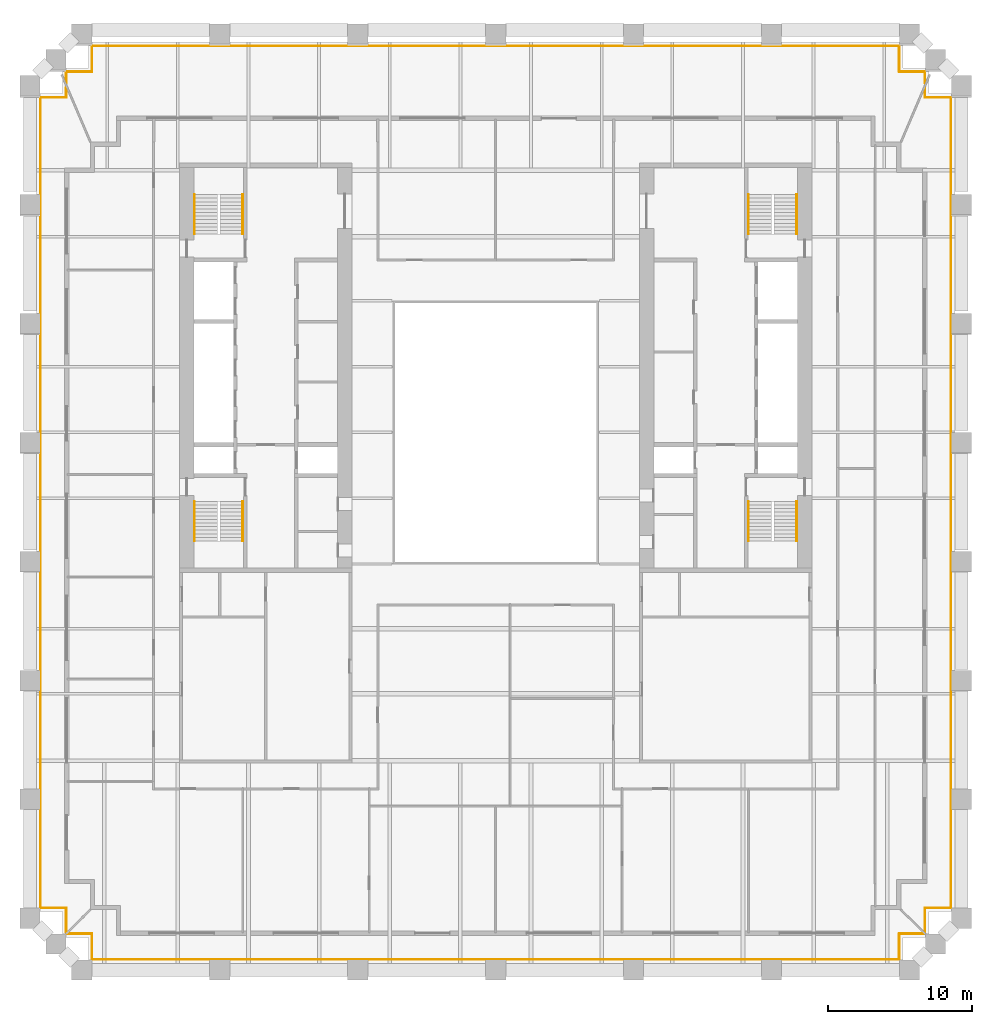
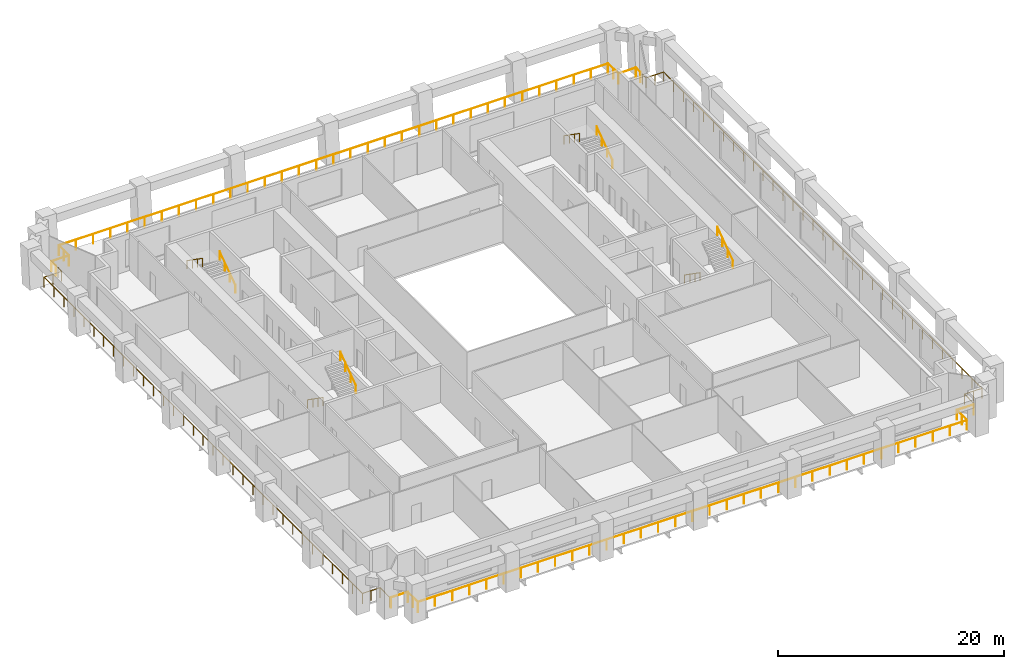
# One storey, part 9 of 9: 12 railings.
"""IFC4 building model written with IfcOpenShell, lengths in metres."""

import ifcopenshell
import ifcopenshell.guid

model = None  # the IFC model being written
_history = None  # IfcOwnerHistory: only IFC2X3 demands one
_inside = {}  # id of a spatial element -> (the spatial element, [elements in it])
_under = {}  # id of a project, library or spatial element -> (it, [spatial elements below it])
_declared = {}  # id of a project -> (the project, [libraries it declares])
_typed = {}  # id of a type object -> (the type object, [elements of that type])
_made_of = {}  # id of a material, layer set ... -> (it, [elements and type objects made of it])


def new_model(schema):
    """Start an empty IFC model of exactly this schema.

    Asked for "IFC4X3", IfcOpenShell would pick the latest addendum, in which some entities
    have other attributes; the version numbers below select the first issue.
    IFC2X3 requires an IfcOwnerHistory on every rooted entity: one is made here for all.
    """
    global model, _history
    if schema == "IFC4X3":
        model = ifcopenshell.file(schema_version=(4, 3, 0, 0))
    else:
        model = ifcopenshell.file(schema=schema)
    _inside.clear()
    _under.clear()
    _declared.clear()
    _typed.clear()
    _made_of.clear()
    _history = None
    if model.schema == "IFC2X3":
        org = make("IfcOrganization", Name="unknown")
        user = make(
            "IfcPersonAndOrganization",
            ThePerson=make("IfcPerson", FamilyName="unknown"),
            TheOrganization=org,
        )
        app = make(
            "IfcApplication",
            ApplicationDeveloper=org,
            Version="unknown",
            ApplicationFullName="unknown",
            ApplicationIdentifier="unknown",
        )
        _history = make(
            "IfcOwnerHistory",
            OwningUser=user,
            OwningApplication=app,
            ChangeAction="ADDED",
            CreationDate=0,
        )
    return model


def make(cls, **values):
    """One entity of the class cls with the attributes given. An attribute that is None is left unset."""
    return model.create_entity(
        cls, **{name: value for name, value in values.items() if value is not None}
    )


def rooted(cls, **values):
    """An entity with a GlobalId (a new one), such as an element, a storey or a relation."""
    return make(cls, GlobalId=ifcopenshell.guid.new(), OwnerHistory=_history, **values)


def si_unit(unit_type, name, prefix=None):
    """IfcSIUnit, for example si_unit("LENGTHUNIT", "METRE", prefix="MILLI")."""
    return make("IfcSIUnit", UnitType=unit_type, Prefix=prefix, Name=name)


def assignment(units):
    """IfcUnitAssignment: the units of a project."""
    return None if units is None else make("IfcUnitAssignment", Units=units)


def point(xyz):
    """IfcCartesianPoint."""
    return None if xyz is None else make("IfcCartesianPoint", Coordinates=xyz)


def direction(xyz):
    """IfcDirection."""
    return None if xyz is None else make("IfcDirection", DirectionRatios=xyz)


def frame(location, z_axis=None, x_axis=None):
    """IfcAxis2Placement3D, a coordinate frame: its origin and axes. An axis left out is left unset."""
    return make(
        "IfcAxis2Placement3D",
        Location=point(location),
        Axis=direction(z_axis),
        RefDirection=direction(x_axis),
    )


def frame_2d(location, x_axis=None):
    """IfcAxis2Placement2D, a coordinate frame in the plane: its origin and x axis."""
    return make(
        "IfcAxis2Placement2D", Location=point(location), RefDirection=direction(x_axis)
    )


def origin():
    """The frame at (0, 0, 0) with its axes left unset."""
    return frame((0.0, 0.0, 0.0))


def origin_2d():
    """The frame at (0, 0) in the plane with its x axis left unset."""
    return frame_2d((0.0, 0.0))


def place(relative_to, where):
    """IfcLocalPlacement: puts the frame where relative to a parent placement (None: the world)."""
    return make(
        "IfcLocalPlacement", PlacementRelTo=relative_to, RelativePlacement=where
    )


def context(
    kind, dimensions, precision=None, world=None, true_north=None, identifier=None
):
    """IfcGeometricRepresentationContext, for example the 3D "Model" context."""
    return make(
        "IfcGeometricRepresentationContext",
        ContextIdentifier=identifier,
        ContextType=kind,
        CoordinateSpaceDimension=dimensions,
        Precision=precision,
        WorldCoordinateSystem=world,
        TrueNorth=true_north,
    )


def subcontext(parent, identifier, kind, view, scale=None):
    """IfcGeometricRepresentationSubContext, for example "Body" below "Model"."""
    return make(
        "IfcGeometricRepresentationSubContext",
        ContextIdentifier=identifier,
        ContextType=kind,
        ParentContext=parent,
        TargetScale=scale,
        TargetView=view,
    )


def project(units=None, contexts=None):
    """IfcProject with its units and contexts."""
    return rooted(
        "IfcProject",
        Name="project",
        RepresentationContexts=contexts,
        UnitsInContext=assignment(units),
    )


def spatial(cls, under=None, at=None, **own):
    """A site, building, storey or space (cls), placed at a placement, below another one or the project."""
    s = rooted(cls, ObjectPlacement=at, **own)
    if under is not None:
        _under.setdefault(under.id(), (under, []))[1].append(s)
    return s


def profile(cls, at=None, kind="AREA", **sizes):
    """A parametric profile (cls). Its sizes go by their IFC names, for example OverallWidth=200.0."""
    return make(cls, ProfileType=kind, Position=at, **sizes)


def circle(**sizes):
    """IfcCircleProfileDef."""
    return profile("IfcCircleProfileDef", **sizes)


def extrude(swept, where, along, depth):
    """IfcExtrudedAreaSolid: the profile swept, set in the frame where, extruded along a direction by depth."""
    return make(
        "IfcExtrudedAreaSolid",
        SweptArea=swept,
        Position=where,
        ExtrudedDirection=direction(along),
        Depth=depth,
    )


def shape(context_of_items, identifier, shape_type, items):
    """IfcShapeRepresentation: the items that make up one representation, for example the "Body"."""
    return make(
        "IfcShapeRepresentation",
        ContextOfItems=context_of_items,
        RepresentationIdentifier=identifier,
        RepresentationType=shape_type,
        Items=items,
    )


def material(Name=None, Category=None):
    """IfcMaterial."""
    return make("IfcMaterial", Name=Name, Category=Category)


def made_of(thing, what):
    """Note that an element or type object is made of a material, layer set ...; save() writes the relation."""
    if what is not None:
        _made_of.setdefault(what.id(), (what, []))[1].append(thing)
    return thing


def type_object(cls, material=None, **own):
    """A type object (cls), such as IfcWallType, which elements share."""
    return made_of(rooted(cls, **own), material)


def element(
    cls,
    number,
    at=None,
    inside=None,
    cuts=None,
    type_object=None,
    material=None,
    context=None,
    identifier="Body",
    shape_type=None,
    held_by="IfcProductDefinitionShape",
    body=None,
    shapes=None,
    **own,
):
    """One element of the class cls, such as IfcWall. Its Tag is "e" and its number.

    at: its placement. inside: the storey or other place that contains it. cuts: it is an
    opening in that element (IfcRelVoidsElement). A single representation is given by context,
    identifier, shape_type and body (its items); several are given by shapes. held_by: the class
    of the entity that holds the representations. save() writes the other relations.
    """
    e = rooted(cls, Tag="e%d" % number, ObjectPlacement=at, **own)
    if body is not None:
        shapes = [shape(context, identifier, shape_type, body)]
    if shapes is not None:
        e.Representation = make(held_by, Representations=shapes)
    if inside is not None:
        _inside.setdefault(inside.id(), (inside, []))[1].append(e)
    if cuts is not None:
        rooted(
            "IfcRelVoidsElement", RelatingBuildingElement=cuts, RelatedOpeningElement=e
        )
    if type_object is not None:
        _typed.setdefault(type_object.id(), (type_object, []))[1].append(e)
    return made_of(e, material)


def aggregate(whole, parts):
    """IfcRelAggregates: a whole, such as a stair, and the parts it consists of."""
    return rooted("IfcRelAggregates", RelatingObject=whole, RelatedObjects=parts)


def save(model, path):
    """Write the relations noted so far, then the file.

    IfcRelAggregates (storeys below a building ...), IfcRelContainedInSpatialStructure (elements
    in a storey), IfcRelDefinesByType, IfcRelAssociatesMaterial and IfcRelDeclares: one each for
    every whole, place, type object, material and project.
    """
    for whole, parts in _under.values():
        aggregate(whole, parts)
    for where, things in _inside.values():
        rooted(
            "IfcRelContainedInSpatialStructure",
            RelatedElements=things,
            RelatingStructure=where,
        )
    for kind, things in _typed.values():
        rooted("IfcRelDefinesByType", RelatedObjects=things, RelatingType=kind)
    for what, things in _made_of.values():
        rooted("IfcRelAssociatesMaterial", RelatedObjects=things, RelatingMaterial=what)
    for by, libraries in _declared.values():
        rooted("IfcRelDeclares", RelatingContext=by, RelatedDefinitions=libraries)
    model.write(path)


model = new_model("IFC4")

# Units and contexts
model_context = context("Model", 3, precision=1e-05, world=origin(), true_north=direction((0.0, 1.0)))
body_context = subcontext(model_context, "Body", "Model", "MODEL_VIEW")
ifc_project = project(units=[si_unit("LENGTHUNIT", "METRE"), si_unit("AREAUNIT", "SQUARE_METRE"), si_unit("VOLUMEUNIT", "CUBIC_METRE"), si_unit("PLANEANGLEUNIT", "RADIAN"), si_unit("MASSUNIT", "GRAM", prefix="KILO")], contexts=[model_context])

# Site, building, storey
site_placement = place(None, origin())
site = spatial("IfcSite", under=ifc_project, at=site_placement, CompositionType="ELEMENT")
building_placement = place(site_placement, origin())
building = spatial("IfcBuilding", under=site, at=building_placement, Name="Ogive Exchange Tower", CompositionType="ELEMENT")
storey_placement = place(building_placement, frame((0.0, 0.0, 69.0)))
storey = spatial("IfcBuildingStorey", under=building, at=storey_placement, Name="L14", CompositionType="ELEMENT", Elevation=69.0)

# Railings
ifc_material_1 = material(Name="Stainless steel 316", Category="steel")
railing_type_1 = type_object("IfcRailingType", Name="Guard 1100 stainless steel and glass", PredefinedType="GUARDRAIL", material=ifc_material_1)
railing_1_placement = place(storey_placement, frame((29.7880859375, -27.8798828125, -0.050048828125)))
element("IfcRailing", 1, at=railing_1_placement, inside=storey, type_object=railing_type_1, Name="Loggia guard 1", PredefinedType="GUARDRAIL", context=body_context, shape_type="SweptSolid", body=[
    extrude(circle(Radius=0.02392578125, at=origin_2d()), frame((0.0, 0.0, 1.076171875), z_axis=(-1.0, 0.0, 0.0), x_axis=(0.0, -1.0, 0.0)), (0.0, 0.0, 1.0), 1.7080078125),
    extrude(circle(Radius=0.02392578125, at=origin_2d()), frame((-1.7080078125, 0.0, 1.076171875), z_axis=(0.0, -1.0, 0.0), x_axis=(1.0, 0.0, 0.0)), (0.0, 0.0, 1.0), 1.800048828125),
    extrude(circle(Radius=0.02392578125, at=origin_2d()), frame((-1.7080078125, -1.800048828125, 1.076171875), z_axis=(-1.0, 0.0, 0.0), x_axis=(0.0, -1.0, 0.0)), (0.0, 0.0, 1.0), 56.16015625),
    extrude(circle(Radius=0.02392578125, at=origin_2d()), frame((-57.8681640625, -1.800048828125, 1.076171875), z_axis=(0.0, 1.0, 0.0), x_axis=(-1.0, 0.0, 0.0)), (0.0, 0.0, 1.0), 1.800048828125),
    extrude(circle(Radius=0.02392578125, at=origin_2d()), frame((-57.8681640625, 0.0, 1.076171875), z_axis=(-1.0, 0.0, 0.0), x_axis=(0.0, -1.0, 0.0)), (0.0, 0.0, 1.0), 1.7080078125),
    extrude(circle(Radius=0.02099609375, at=origin_2d()), origin(), (0.0, 0.0, 1.0), 1.052001953125),
    extrude(circle(Radius=0.02099609375, at=origin_2d()), frame((-1.7080078125, 0.0, 0.0)), (0.0, 0.0, 1.0), 1.052001953125),
    extrude(circle(Radius=0.02099609375, at=origin_2d()), frame((-1.7080078125, -0.89990234375, 0.0)), (0.0, 0.0, 1.0), 1.052001953125),
    extrude(circle(Radius=0.02099609375, at=origin_2d()), frame((-1.7080078125, -1.800048828125, 0.0)), (0.0, 0.0, 1.0), 1.052001953125),
    extrude(circle(Radius=0.02099609375, at=origin_2d()), frame((-3.462890625, -1.800048828125, 0.0)), (0.0, 0.0, 1.0), 1.052001953125),
    extrude(circle(Radius=0.02099609375, at=origin_2d()), frame((-5.218017578125, -1.800048828125, 0.0)), (0.0, 0.0, 1.0), 1.052001953125),
    extrude(circle(Radius=0.02099609375, at=origin_2d()), frame((-6.97314453125, -1.800048828125, 0.0)), (0.0, 0.0, 1.0), 1.052001953125),
    extrude(circle(Radius=0.02099609375, at=origin_2d()), frame((-8.72802734375, -1.800048828125, 0.0)), (0.0, 0.0, 1.0), 1.052001953125),
    extrude(circle(Radius=0.02099609375, at=origin_2d()), frame((-10.48291015625, -1.800048828125, 0.0)), (0.0, 0.0, 1.0), 1.052001953125),
    extrude(circle(Radius=0.02099609375, at=origin_2d()), frame((-12.238037109375, -1.800048828125, 0.0)), (0.0, 0.0, 1.0), 1.052001953125),
    extrude(circle(Radius=0.02099609375, at=origin_2d()), frame((-13.9931640625, -1.800048828125, 0.0)), (0.0, 0.0, 1.0), 1.052001953125),
    extrude(circle(Radius=0.02099609375, at=origin_2d()), frame((-15.748046875, -1.800048828125, 0.0)), (0.0, 0.0, 1.0), 1.052001953125),
    extrude(circle(Radius=0.02099609375, at=origin_2d()), frame((-17.5029296875, -1.800048828125, 0.0)), (0.0, 0.0, 1.0), 1.052001953125),
    extrude(circle(Radius=0.02099609375, at=origin_2d()), frame((-19.258056640625, -1.800048828125, 0.0)), (0.0, 0.0, 1.0), 1.052001953125),
    extrude(circle(Radius=0.02099609375, at=origin_2d()), frame((-21.01318359375, -1.800048828125, 0.0)), (0.0, 0.0, 1.0), 1.052001953125),
    extrude(circle(Radius=0.02099609375, at=origin_2d()), frame((-22.76806640625, -1.800048828125, 0.0)), (0.0, 0.0, 1.0), 1.052001953125),
    extrude(circle(Radius=0.02099609375, at=origin_2d()), frame((-24.52294921875, -1.800048828125, 0.0)), (0.0, 0.0, 1.0), 1.052001953125),
    extrude(circle(Radius=0.02099609375, at=origin_2d()), frame((-26.278076171875, -1.800048828125, 0.0)), (0.0, 0.0, 1.0), 1.052001953125),
    extrude(circle(Radius=0.02099609375, at=origin_2d()), frame((-28.033203125, -1.800048828125, 0.0)), (0.0, 0.0, 1.0), 1.052001953125),
    extrude(circle(Radius=0.02099609375, at=origin_2d()), frame((-29.7880859375, -1.800048828125, 0.0)), (0.0, 0.0, 1.0), 1.052001953125),
    extrude(circle(Radius=0.02099609375, at=origin_2d()), frame((-31.54296875, -1.800048828125, 0.0)), (0.0, 0.0, 1.0), 1.052001953125),
    extrude(circle(Radius=0.02099609375, at=origin_2d()), frame((-33.298095703125, -1.800048828125, 0.0)), (0.0, 0.0, 1.0), 1.052001953125),
    extrude(circle(Radius=0.02099609375, at=origin_2d()), frame((-35.05322265625, -1.800048828125, 0.0)), (0.0, 0.0, 1.0), 1.052001953125),
    extrude(circle(Radius=0.02099609375, at=origin_2d()), frame((-36.80810546875, -1.800048828125, 0.0)), (0.0, 0.0, 1.0), 1.052001953125),
    extrude(circle(Radius=0.02099609375, at=origin_2d()), frame((-38.56298828125, -1.800048828125, 0.0)), (0.0, 0.0, 1.0), 1.052001953125),
    extrude(circle(Radius=0.02099609375, at=origin_2d()), frame((-40.318115234375, -1.800048828125, 0.0)), (0.0, 0.0, 1.0), 1.052001953125),
    extrude(circle(Radius=0.02099609375, at=origin_2d()), frame((-42.0732421875, -1.800048828125, 0.0)), (0.0, 0.0, 1.0), 1.052001953125),
    extrude(circle(Radius=0.02099609375, at=origin_2d()), frame((-43.828125, -1.800048828125, 0.0)), (0.0, 0.0, 1.0), 1.052001953125),
    extrude(circle(Radius=0.02099609375, at=origin_2d()), frame((-45.5830078125, -1.800048828125, 0.0)), (0.0, 0.0, 1.0), 1.052001953125),
    extrude(circle(Radius=0.02099609375, at=origin_2d()), frame((-47.338134765625, -1.800048828125, 0.0)), (0.0, 0.0, 1.0), 1.052001953125),
    extrude(circle(Radius=0.02099609375, at=origin_2d()), frame((-49.09326171875, -1.800048828125, 0.0)), (0.0, 0.0, 1.0), 1.052001953125),
    extrude(circle(Radius=0.02099609375, at=origin_2d()), frame((-50.84814453125, -1.800048828125, 0.0)), (0.0, 0.0, 1.0), 1.052001953125),
    extrude(circle(Radius=0.02099609375, at=origin_2d()), frame((-52.60302734375, -1.800048828125, 0.0)), (0.0, 0.0, 1.0), 1.052001953125),
    extrude(circle(Radius=0.02099609375, at=origin_2d()), frame((-54.358154296875, -1.800048828125, 0.0)), (0.0, 0.0, 1.0), 1.052001953125),
    extrude(circle(Radius=0.02099609375, at=origin_2d()), frame((-56.11328125, -1.800048828125, 0.0)), (0.0, 0.0, 1.0), 1.052001953125),
    extrude(circle(Radius=0.02099609375, at=origin_2d()), frame((-57.8681640625, -1.800048828125, 0.0)), (0.0, 0.0, 1.0), 1.052001953125),
    extrude(circle(Radius=0.02099609375, at=origin_2d()), frame((-57.8681640625, -0.89990234375, 0.0)), (0.0, 0.0, 1.0), 1.052001953125),
    extrude(circle(Radius=0.02099609375, at=origin_2d()), frame((-57.8681640625, 0.0, 0.0)), (0.0, 0.0, 1.0), 1.052001953125),
    extrude(circle(Radius=0.02099609375, at=origin_2d()), frame((-59.576171875, 0.0, 0.0)), (0.0, 0.0, 1.0), 1.052001953125),
])
railing_2_placement = place(storey_placement, frame((-29.8798828125, -27.7880859375, -0.050048828125)))
element("IfcRailing", 2, at=railing_2_placement, inside=storey, type_object=railing_type_1, Name="Loggia guard 2", PredefinedType="GUARDRAIL", context=body_context, shape_type="SweptSolid", body=[
    extrude(circle(Radius=0.02392578125, at=origin_2d()), frame((0.0, 0.0, 1.076171875), z_axis=(0.0, 1.0, 0.0), x_axis=(-1.0, 0.0, 0.0)), (0.0, 0.0, 1.0), 1.7080078125),
    extrude(circle(Radius=0.02392578125, at=origin_2d()), frame((0.0, 1.7080078125, 1.076171875), z_axis=(-1.0, 0.0, 0.0), x_axis=(0.0, -1.0, 0.0)), (0.0, 0.0, 1.0), 1.800048828125),
    extrude(circle(Radius=0.02392578125, at=origin_2d()), frame((-1.800048828125, 1.7080078125, 1.076171875), z_axis=(0.0, 1.0, 0.0), x_axis=(-1.0, 0.0, 0.0)), (0.0, 0.0, 1.0), 56.378173828125),
    extrude(circle(Radius=0.02392578125, at=origin_2d()), frame((-1.800048828125, 58.086181640625, 1.076171875), z_axis=(1.0, 0.0, 0.0), x_axis=(0.0, 1.0, 0.0)), (0.0, 0.0, 1.0), 1.800048828125),
    extrude(circle(Radius=0.02392578125, at=origin_2d()), frame((0.0, 58.086181640625, 1.076171875), z_axis=(0.0, 1.0, 0.0), x_axis=(-1.0, 0.0, 0.0)), (0.0, 0.0, 1.0), 0.669189453125),
    extrude(circle(Radius=0.02099609375, at=origin_2d()), origin(), (0.0, 0.0, 1.0), 1.052001953125),
    extrude(circle(Radius=0.02099609375, at=origin_2d()), frame((0.0, 1.7080078125, 0.0)), (0.0, 0.0, 1.0), 1.052001953125),
    extrude(circle(Radius=0.02099609375, at=origin_2d()), frame((-0.89990234375, 1.7080078125, 0.0)), (0.0, 0.0, 1.0), 1.052001953125),
    extrude(circle(Radius=0.02099609375, at=origin_2d()), frame((-1.800048828125, 1.7080078125, 0.0)), (0.0, 0.0, 1.0), 1.052001953125),
    extrude(circle(Radius=0.02099609375, at=origin_2d()), frame((-1.800048828125, 3.4697265625, 0.0)), (0.0, 0.0, 1.0), 1.052001953125),
    extrude(circle(Radius=0.02099609375, at=origin_2d()), frame((-1.800048828125, 5.231689453125, 0.0)), (0.0, 0.0, 1.0), 1.052001953125),
    extrude(circle(Radius=0.02099609375, at=origin_2d()), frame((-1.800048828125, 6.993408203125, 0.0)), (0.0, 0.0, 1.0), 1.052001953125),
    extrude(circle(Radius=0.02099609375, at=origin_2d()), frame((-1.800048828125, 8.75537109375, 0.0)), (0.0, 0.0, 1.0), 1.052001953125),
    extrude(circle(Radius=0.02099609375, at=origin_2d()), frame((-1.800048828125, 10.51708984375, 0.0)), (0.0, 0.0, 1.0), 1.052001953125),
    extrude(circle(Radius=0.02099609375, at=origin_2d()), frame((-1.800048828125, 12.27880859375, 0.0)), (0.0, 0.0, 1.0), 1.052001953125),
    extrude(circle(Radius=0.02099609375, at=origin_2d()), frame((-1.800048828125, 14.040771484375, 0.0)), (0.0, 0.0, 1.0), 1.052001953125),
    extrude(circle(Radius=0.02099609375, at=origin_2d()), frame((-1.800048828125, 15.802490234375, 0.0)), (0.0, 0.0, 1.0), 1.052001953125),
    extrude(circle(Radius=0.02099609375, at=origin_2d()), frame((-1.800048828125, 17.564453125, 0.0)), (0.0, 0.0, 1.0), 1.052001953125),
    extrude(circle(Radius=0.02099609375, at=origin_2d()), frame((-1.800048828125, 19.326171875, 0.0)), (0.0, 0.0, 1.0), 1.052001953125),
    extrude(circle(Radius=0.02099609375, at=origin_2d()), frame((-1.800048828125, 21.087890625, 0.0)), (0.0, 0.0, 1.0), 1.052001953125),
    extrude(circle(Radius=0.02099609375, at=origin_2d()), frame((-1.800048828125, 22.849853515625, 0.0)), (0.0, 0.0, 1.0), 1.052001953125),
    extrude(circle(Radius=0.02099609375, at=origin_2d()), frame((-1.800048828125, 24.611572265625, 0.0)), (0.0, 0.0, 1.0), 1.052001953125),
    extrude(circle(Radius=0.02099609375, at=origin_2d()), frame((-1.800048828125, 26.37353515625, 0.0)), (0.0, 0.0, 1.0), 1.052001953125),
    extrude(circle(Radius=0.02099609375, at=origin_2d()), frame((-1.800048828125, 28.13525390625, 0.0)), (0.0, 0.0, 1.0), 1.052001953125),
    extrude(circle(Radius=0.02099609375, at=origin_2d()), frame((-1.800048828125, 29.89697265625, 0.0)), (0.0, 0.0, 1.0), 1.052001953125),
    extrude(circle(Radius=0.02099609375, at=origin_2d()), frame((-1.800048828125, 31.658935546875, 0.0)), (0.0, 0.0, 1.0), 1.052001953125),
    extrude(circle(Radius=0.02099609375, at=origin_2d()), frame((-1.800048828125, 33.420654296875, 0.0)), (0.0, 0.0, 1.0), 1.052001953125),
    extrude(circle(Radius=0.02099609375, at=origin_2d()), frame((-1.800048828125, 35.1826171875, 0.0)), (0.0, 0.0, 1.0), 1.052001953125),
    extrude(circle(Radius=0.02099609375, at=origin_2d()), frame((-1.800048828125, 36.9443359375, 0.0)), (0.0, 0.0, 1.0), 1.052001953125),
    extrude(circle(Radius=0.02099609375, at=origin_2d()), frame((-1.800048828125, 38.706298828125, 0.0)), (0.0, 0.0, 1.0), 1.052001953125),
    extrude(circle(Radius=0.02099609375, at=origin_2d()), frame((-1.800048828125, 40.468017578125, 0.0)), (0.0, 0.0, 1.0), 1.052001953125),
    extrude(circle(Radius=0.02099609375, at=origin_2d()), frame((-1.800048828125, 42.229736328125, 0.0)), (0.0, 0.0, 1.0), 1.052001953125),
    extrude(circle(Radius=0.02099609375, at=origin_2d()), frame((-1.800048828125, 43.99169921875, 0.0)), (0.0, 0.0, 1.0), 1.052001953125),
    extrude(circle(Radius=0.02099609375, at=origin_2d()), frame((-1.800048828125, 45.75341796875, 0.0)), (0.0, 0.0, 1.0), 1.052001953125),
    extrude(circle(Radius=0.02099609375, at=origin_2d()), frame((-1.800048828125, 47.515380859375, 0.0)), (0.0, 0.0, 1.0), 1.052001953125),
    extrude(circle(Radius=0.02099609375, at=origin_2d()), frame((-1.800048828125, 49.277099609375, 0.0)), (0.0, 0.0, 1.0), 1.052001953125),
    extrude(circle(Radius=0.02099609375, at=origin_2d()), frame((-1.800048828125, 51.038818359375, 0.0)), (0.0, 0.0, 1.0), 1.052001953125),
    extrude(circle(Radius=0.02099609375, at=origin_2d()), frame((-1.800048828125, 52.80078125, 0.0)), (0.0, 0.0, 1.0), 1.052001953125),
    extrude(circle(Radius=0.02099609375, at=origin_2d()), frame((-1.800048828125, 54.5625, 0.0)), (0.0, 0.0, 1.0), 1.052001953125),
    extrude(circle(Radius=0.02099609375, at=origin_2d()), frame((-1.800048828125, 56.324462890625, 0.0)), (0.0, 0.0, 1.0), 1.052001953125),
    extrude(circle(Radius=0.02099609375, at=origin_2d()), frame((-1.800048828125, 58.086181640625, 0.0)), (0.0, 0.0, 1.0), 1.052001953125),
    extrude(circle(Radius=0.02099609375, at=origin_2d()), frame((-0.89990234375, 58.086181640625, 0.0)), (0.0, 0.0, 1.0), 1.052001953125),
    extrude(circle(Radius=0.02099609375, at=origin_2d()), frame((0.0, 58.086181640625, 0.0)), (0.0, 0.0, 1.0), 1.052001953125),
    extrude(circle(Radius=0.02099609375, at=origin_2d()), frame((0.0, 58.75537109375, 0.0)), (0.0, 0.0, 1.0), 1.052001953125),
])
railing_3_placement = place(storey_placement, frame((-29.8798828125, 31.298095703125, -0.050048828125)))
element("IfcRailing", 3, at=railing_3_placement, inside=storey, type_object=railing_type_1, Name="Loggia guard 3", PredefinedType="GUARDRAIL", context=body_context, shape_type="SweptSolid", body=[
    extrude(circle(Radius=0.02392578125, at=origin_2d()), frame((0.0, 0.0, 1.076171875), z_axis=(0.0, 1.0, 0.0), x_axis=(-1.0, 0.0, 0.0)), (0.0, 0.0, 1.0), 0.800048828125),
    extrude(circle(Radius=0.02392578125, at=origin_2d()), frame((0.0, 0.800048828125, 1.076171875), z_axis=(1.0, 0.0, 0.0), x_axis=(0.0, 1.0, 0.0)), (0.0, 0.0, 1.0), 1.7998046875),
    extrude(circle(Radius=0.02392578125, at=origin_2d()), frame((1.7998046875, 0.800048828125, 1.076171875), z_axis=(0.0, 1.0, 0.0), x_axis=(-1.0, 0.0, 0.0)), (0.0, 0.0, 1.0), 1.800048828125),
    extrude(circle(Radius=0.02392578125, at=origin_2d()), frame((1.7998046875, 2.60009765625, 1.076171875), z_axis=(1.0, 0.0, 0.0), x_axis=(0.0, 1.0, 0.0)), (0.0, 0.0, 1.0), 56.16015625),
    extrude(circle(Radius=0.02392578125, at=origin_2d()), frame((57.9599609375, 2.60009765625, 1.076171875), z_axis=(0.0, -1.0, 0.0), x_axis=(1.0, 0.0, 0.0)), (0.0, 0.0, 1.0), 1.800048828125),
    extrude(circle(Radius=0.02392578125, at=origin_2d()), frame((57.9599609375, 0.800048828125, 1.076171875), z_axis=(1.0, 0.0, 0.0), x_axis=(0.0, 1.0, 0.0)), (0.0, 0.0, 1.0), 1.7998046875),
    extrude(circle(Radius=0.02392578125, at=origin_2d()), frame((59.759765625, 0.800048828125, 1.076171875), z_axis=(0.0, -1.0, 0.0), x_axis=(1.0, 0.0, 0.0)), (0.0, 0.0, 1.0), 0.800048828125),
    extrude(circle(Radius=0.02099609375, at=origin_2d()), origin(), (0.0, 0.0, 1.0), 1.052001953125),
    extrude(circle(Radius=0.02099609375, at=origin_2d()), frame((0.0, 0.800048828125, 0.0)), (0.0, 0.0, 1.0), 1.052001953125),
    extrude(circle(Radius=0.02099609375, at=origin_2d()), frame((1.7998046875, 0.800048828125, 0.0)), (0.0, 0.0, 1.0), 1.052001953125),
    extrude(circle(Radius=0.02099609375, at=origin_2d()), frame((1.7998046875, 1.7001953125, 0.0)), (0.0, 0.0, 1.0), 1.052001953125),
    extrude(circle(Radius=0.02099609375, at=origin_2d()), frame((1.7998046875, 2.60009765625, 0.0)), (0.0, 0.0, 1.0), 1.052001953125),
    extrude(circle(Radius=0.02099609375, at=origin_2d()), frame((3.5546875, 2.60009765625, 0.0)), (0.0, 0.0, 1.0), 1.052001953125),
    extrude(circle(Radius=0.02099609375, at=origin_2d()), frame((5.309814453125, 2.60009765625, 0.0)), (0.0, 0.0, 1.0), 1.052001953125),
    extrude(circle(Radius=0.02099609375, at=origin_2d()), frame((7.06494140625, 2.60009765625, 0.0)), (0.0, 0.0, 1.0), 1.052001953125),
    extrude(circle(Radius=0.02099609375, at=origin_2d()), frame((8.81982421875, 2.60009765625, 0.0)), (0.0, 0.0, 1.0), 1.052001953125),
    extrude(circle(Radius=0.02099609375, at=origin_2d()), frame((10.57470703125, 2.60009765625, 0.0)), (0.0, 0.0, 1.0), 1.052001953125),
    extrude(circle(Radius=0.02099609375, at=origin_2d()), frame((12.329833984375, 2.60009765625, 0.0)), (0.0, 0.0, 1.0), 1.052001953125),
    extrude(circle(Radius=0.02099609375, at=origin_2d()), frame((14.0849609375, 2.60009765625, 0.0)), (0.0, 0.0, 1.0), 1.052001953125),
    extrude(circle(Radius=0.02099609375, at=origin_2d()), frame((15.83984375, 2.60009765625, 0.0)), (0.0, 0.0, 1.0), 1.052001953125),
    extrude(circle(Radius=0.02099609375, at=origin_2d()), frame((17.5947265625, 2.60009765625, 0.0)), (0.0, 0.0, 1.0), 1.052001953125),
    extrude(circle(Radius=0.02099609375, at=origin_2d()), frame((19.349853515625, 2.60009765625, 0.0)), (0.0, 0.0, 1.0), 1.052001953125),
    extrude(circle(Radius=0.02099609375, at=origin_2d()), frame((21.10498046875, 2.60009765625, 0.0)), (0.0, 0.0, 1.0), 1.052001953125),
    extrude(circle(Radius=0.02099609375, at=origin_2d()), frame((22.85986328125, 2.60009765625, 0.0)), (0.0, 0.0, 1.0), 1.052001953125),
    extrude(circle(Radius=0.02099609375, at=origin_2d()), frame((24.61474609375, 2.60009765625, 0.0)), (0.0, 0.0, 1.0), 1.052001953125),
    extrude(circle(Radius=0.02099609375, at=origin_2d()), frame((26.369873046875, 2.60009765625, 0.0)), (0.0, 0.0, 1.0), 1.052001953125),
    extrude(circle(Radius=0.02099609375, at=origin_2d()), frame((28.125, 2.60009765625, 0.0)), (0.0, 0.0, 1.0), 1.052001953125),
    extrude(circle(Radius=0.02099609375, at=origin_2d()), frame((29.8798828125, 2.60009765625, 0.0)), (0.0, 0.0, 1.0), 1.052001953125),
    extrude(circle(Radius=0.02099609375, at=origin_2d()), frame((31.634765625, 2.60009765625, 0.0)), (0.0, 0.0, 1.0), 1.052001953125),
    extrude(circle(Radius=0.02099609375, at=origin_2d()), frame((33.389892578125, 2.60009765625, 0.0)), (0.0, 0.0, 1.0), 1.052001953125),
    extrude(circle(Radius=0.02099609375, at=origin_2d()), frame((35.14501953125, 2.60009765625, 0.0)), (0.0, 0.0, 1.0), 1.052001953125),
    extrude(circle(Radius=0.02099609375, at=origin_2d()), frame((36.89990234375, 2.60009765625, 0.0)), (0.0, 0.0, 1.0), 1.052001953125),
    extrude(circle(Radius=0.02099609375, at=origin_2d()), frame((38.65478515625, 2.60009765625, 0.0)), (0.0, 0.0, 1.0), 1.052001953125),
    extrude(circle(Radius=0.02099609375, at=origin_2d()), frame((40.409912109375, 2.60009765625, 0.0)), (0.0, 0.0, 1.0), 1.052001953125),
    extrude(circle(Radius=0.02099609375, at=origin_2d()), frame((42.1650390625, 2.60009765625, 0.0)), (0.0, 0.0, 1.0), 1.052001953125),
    extrude(circle(Radius=0.02099609375, at=origin_2d()), frame((43.919921875, 2.60009765625, 0.0)), (0.0, 0.0, 1.0), 1.052001953125),
    extrude(circle(Radius=0.02099609375, at=origin_2d()), frame((45.6748046875, 2.60009765625, 0.0)), (0.0, 0.0, 1.0), 1.052001953125),
    extrude(circle(Radius=0.02099609375, at=origin_2d()), frame((47.429931640625, 2.60009765625, 0.0)), (0.0, 0.0, 1.0), 1.052001953125),
    extrude(circle(Radius=0.02099609375, at=origin_2d()), frame((49.18505859375, 2.60009765625, 0.0)), (0.0, 0.0, 1.0), 1.052001953125),
    extrude(circle(Radius=0.02099609375, at=origin_2d()), frame((50.93994140625, 2.60009765625, 0.0)), (0.0, 0.0, 1.0), 1.052001953125),
    extrude(circle(Radius=0.02099609375, at=origin_2d()), frame((52.69482421875, 2.60009765625, 0.0)), (0.0, 0.0, 1.0), 1.052001953125),
    extrude(circle(Radius=0.02099609375, at=origin_2d()), frame((54.449951171875, 2.60009765625, 0.0)), (0.0, 0.0, 1.0), 1.052001953125),
    extrude(circle(Radius=0.02099609375, at=origin_2d()), frame((56.205078125, 2.60009765625, 0.0)), (0.0, 0.0, 1.0), 1.052001953125),
    extrude(circle(Radius=0.02099609375, at=origin_2d()), frame((57.9599609375, 2.60009765625, 0.0)), (0.0, 0.0, 1.0), 1.052001953125),
    extrude(circle(Radius=0.02099609375, at=origin_2d()), frame((57.9599609375, 1.7001953125, 0.0)), (0.0, 0.0, 1.0), 1.052001953125),
    extrude(circle(Radius=0.02099609375, at=origin_2d()), frame((57.9599609375, 0.800048828125, 0.0)), (0.0, 0.0, 1.0), 1.052001953125),
    extrude(circle(Radius=0.02099609375, at=origin_2d()), frame((59.759765625, 0.800048828125, 0.0)), (0.0, 0.0, 1.0), 1.052001953125),
    extrude(circle(Radius=0.02099609375, at=origin_2d()), frame((59.759765625, 0.0, 0.0)), (0.0, 0.0, 1.0), 1.052001953125),
])
railing_4_placement = place(storey_placement, frame((29.8798828125, 30.96728515625, -0.050048828125)))
element("IfcRailing", 4, at=railing_4_placement, inside=storey, type_object=railing_type_1, Name="Loggia guard 4", PredefinedType="GUARDRAIL", context=body_context, shape_type="SweptSolid", body=[
    extrude(circle(Radius=0.02392578125, at=origin_2d()), frame((0.0, 0.0, 1.076171875), z_axis=(0.0, -1.0, 0.0), x_axis=(1.0, 0.0, 0.0)), (0.0, 0.0, 1.0), 0.669189453125),
    extrude(circle(Radius=0.02392578125, at=origin_2d()), frame((0.0, -0.669189453125, 1.076171875), z_axis=(1.0, 0.0, 0.0), x_axis=(0.0, 1.0, 0.0)), (0.0, 0.0, 1.0), 1.800048828125),
    extrude(circle(Radius=0.02392578125, at=origin_2d()), frame((1.800048828125, -0.669189453125, 1.076171875), z_axis=(0.0, -1.0, 0.0), x_axis=(1.0, 0.0, 0.0)), (0.0, 0.0, 1.0), 56.378173828125),
    extrude(circle(Radius=0.02392578125, at=origin_2d()), frame((1.800048828125, -57.04736328125, 1.076171875), z_axis=(-1.0, 0.0, 0.0), x_axis=(0.0, -1.0, 0.0)), (0.0, 0.0, 1.0), 1.800048828125),
    extrude(circle(Radius=0.02392578125, at=origin_2d()), frame((0.0, -57.04736328125, 1.076171875), z_axis=(0.0, -1.0, 0.0), x_axis=(1.0, 0.0, 0.0)), (0.0, 0.0, 1.0), 1.7080078125),
    extrude(circle(Radius=0.02099609375, at=origin_2d()), origin(), (0.0, 0.0, 1.0), 1.052001953125),
    extrude(circle(Radius=0.02099609375, at=origin_2d()), frame((0.0, -0.669189453125, 0.0)), (0.0, 0.0, 1.0), 1.052001953125),
    extrude(circle(Radius=0.02099609375, at=origin_2d()), frame((0.89990234375, -0.669189453125, 0.0)), (0.0, 0.0, 1.0), 1.052001953125),
    extrude(circle(Radius=0.02099609375, at=origin_2d()), frame((1.800048828125, -0.669189453125, 0.0)), (0.0, 0.0, 1.0), 1.052001953125),
    extrude(circle(Radius=0.02099609375, at=origin_2d()), frame((1.800048828125, -2.430908203125, 0.0)), (0.0, 0.0, 1.0), 1.052001953125),
    extrude(circle(Radius=0.02099609375, at=origin_2d()), frame((1.800048828125, -4.19287109375, 0.0)), (0.0, 0.0, 1.0), 1.052001953125),
    extrude(circle(Radius=0.02099609375, at=origin_2d()), frame((1.800048828125, -5.95458984375, 0.0)), (0.0, 0.0, 1.0), 1.052001953125),
    extrude(circle(Radius=0.02099609375, at=origin_2d()), frame((1.800048828125, -7.716552734375, 0.0)), (0.0, 0.0, 1.0), 1.052001953125),
    extrude(circle(Radius=0.02099609375, at=origin_2d()), frame((1.800048828125, -9.478271484375, 0.0)), (0.0, 0.0, 1.0), 1.052001953125),
    extrude(circle(Radius=0.02099609375, at=origin_2d()), frame((1.800048828125, -11.239990234375, 0.0)), (0.0, 0.0, 1.0), 1.052001953125),
    extrude(circle(Radius=0.02099609375, at=origin_2d()), frame((1.800048828125, -13.001953125, 0.0)), (0.0, 0.0, 1.0), 1.052001953125),
    extrude(circle(Radius=0.02099609375, at=origin_2d()), frame((1.800048828125, -14.763671875, 0.0)), (0.0, 0.0, 1.0), 1.052001953125),
    extrude(circle(Radius=0.02099609375, at=origin_2d()), frame((1.800048828125, -16.525634765625, 0.0)), (0.0, 0.0, 1.0), 1.052001953125),
    extrude(circle(Radius=0.02099609375, at=origin_2d()), frame((1.800048828125, -18.287353515625, 0.0)), (0.0, 0.0, 1.0), 1.052001953125),
    extrude(circle(Radius=0.02099609375, at=origin_2d()), frame((1.800048828125, -20.049072265625, 0.0)), (0.0, 0.0, 1.0), 1.052001953125),
    extrude(circle(Radius=0.02099609375, at=origin_2d()), frame((1.800048828125, -21.81103515625, 0.0)), (0.0, 0.0, 1.0), 1.052001953125),
    extrude(circle(Radius=0.02099609375, at=origin_2d()), frame((1.800048828125, -23.57275390625, 0.0)), (0.0, 0.0, 1.0), 1.052001953125),
    extrude(circle(Radius=0.02099609375, at=origin_2d()), frame((1.800048828125, -25.334716796875, 0.0)), (0.0, 0.0, 1.0), 1.052001953125),
    extrude(circle(Radius=0.02099609375, at=origin_2d()), frame((1.800048828125, -27.096435546875, 0.0)), (0.0, 0.0, 1.0), 1.052001953125),
    extrude(circle(Radius=0.02099609375, at=origin_2d()), frame((1.800048828125, -28.8583984375, 0.0)), (0.0, 0.0, 1.0), 1.052001953125),
    extrude(circle(Radius=0.02099609375, at=origin_2d()), frame((1.800048828125, -30.6201171875, 0.0)), (0.0, 0.0, 1.0), 1.052001953125),
    extrude(circle(Radius=0.02099609375, at=origin_2d()), frame((1.800048828125, -32.3818359375, 0.0)), (0.0, 0.0, 1.0), 1.052001953125),
    extrude(circle(Radius=0.02099609375, at=origin_2d()), frame((1.800048828125, -34.143798828125, 0.0)), (0.0, 0.0, 1.0), 1.052001953125),
    extrude(circle(Radius=0.02099609375, at=origin_2d()), frame((1.800048828125, -35.905517578125, 0.0)), (0.0, 0.0, 1.0), 1.052001953125),
    extrude(circle(Radius=0.02099609375, at=origin_2d()), frame((1.800048828125, -37.66748046875, 0.0)), (0.0, 0.0, 1.0), 1.052001953125),
    extrude(circle(Radius=0.02099609375, at=origin_2d()), frame((1.800048828125, -39.42919921875, 0.0)), (0.0, 0.0, 1.0), 1.052001953125),
    extrude(circle(Radius=0.02099609375, at=origin_2d()), frame((1.800048828125, -41.19091796875, 0.0)), (0.0, 0.0, 1.0), 1.052001953125),
    extrude(circle(Radius=0.02099609375, at=origin_2d()), frame((1.800048828125, -42.952880859375, 0.0)), (0.0, 0.0, 1.0), 1.052001953125),
    extrude(circle(Radius=0.02099609375, at=origin_2d()), frame((1.800048828125, -44.714599609375, 0.0)), (0.0, 0.0, 1.0), 1.052001953125),
    extrude(circle(Radius=0.02099609375, at=origin_2d()), frame((1.800048828125, -46.4765625, 0.0)), (0.0, 0.0, 1.0), 1.052001953125),
    extrude(circle(Radius=0.02099609375, at=origin_2d()), frame((1.800048828125, -48.23828125, 0.0)), (0.0, 0.0, 1.0), 1.052001953125),
    extrude(circle(Radius=0.02099609375, at=origin_2d()), frame((1.800048828125, -50.0, 0.0)), (0.0, 0.0, 1.0), 1.052001953125),
    extrude(circle(Radius=0.02099609375, at=origin_2d()), frame((1.800048828125, -51.761962890625, 0.0)), (0.0, 0.0, 1.0), 1.052001953125),
    extrude(circle(Radius=0.02099609375, at=origin_2d()), frame((1.800048828125, -53.523681640625, 0.0)), (0.0, 0.0, 1.0), 1.052001953125),
    extrude(circle(Radius=0.02099609375, at=origin_2d()), frame((1.800048828125, -55.28564453125, 0.0)), (0.0, 0.0, 1.0), 1.052001953125),
    extrude(circle(Radius=0.02099609375, at=origin_2d()), frame((1.800048828125, -57.04736328125, 0.0)), (0.0, 0.0, 1.0), 1.052001953125),
    extrude(circle(Radius=0.02099609375, at=origin_2d()), frame((0.89990234375, -57.04736328125, 0.0)), (0.0, 0.0, 1.0), 1.052001953125),
    extrude(circle(Radius=0.02099609375, at=origin_2d()), frame((0.0, -57.04736328125, 0.0)), (0.0, 0.0, 1.0), 1.052001953125),
    extrude(circle(Radius=0.02099609375, at=origin_2d()), frame((0.0, -58.75537109375, 0.0)), (0.0, 0.0, 1.0), 1.052001953125),
])
ifc_material_2 = material(Name="Stainless steel", Category="steel")
railing_type_2 = type_object("IfcRailingType", Name="Stair handrail 900", PredefinedType="HANDRAIL", material=ifc_material_2)
railing_5_placement = place(storey_placement, frame((-20.949951171875, 2.199951171875, 0.175048828125)))
element("IfcRailing", 5, at=railing_5_placement, inside=storey, type_object=railing_type_2, Name="L14 ST1 stair handrail 1", PredefinedType="HANDRAIL", context=body_context, shape_type="SweptSolid", body=[
    extrude(circle(Radius=0.02392578125, at=origin_2d()), frame((0.0, 0.0, 0.8759765625), z_axis=(0.0, -0.819225086817, 0.573472106672), x_axis=(1.0, 0.0, 0.0)), (0.0, 0.0, 1.0), 3.35693359375),
    extrude(circle(Radius=0.02099609375, at=origin_2d()), origin(), (0.0, 0.0, 1.0), 0.851806640625),
    extrude(circle(Radius=0.02099609375, at=origin_2d()), frame((0.0, -0.916748046875, 0.6416015625)), (0.0, 0.0, 1.0), 0.851806640625),
    extrude(circle(Radius=0.02099609375, at=origin_2d()), frame((0.0, -1.833251953125, 1.283447265625)), (0.0, 0.0, 1.0), 0.851806640625),
    extrude(circle(Radius=0.02099609375, at=origin_2d()), frame((0.0, -2.75, 1.925048828125)), (0.0, 0.0, 1.0), 0.851806640625),
])
for number, where, name in (
    (6, (-17.60009765625, -0.550048828125, 2.27490234375), "L14 ST1 stair handrail 2"),
    (7, (-17.60009765625, 20.800048828125, 0.175048828125), "L14 ST2 stair handrail 1"),
):
    element("IfcRailing", number, at=place(storey_placement, frame(where)), inside=storey, type_object=railing_type_2, Name=name, PredefinedType="HANDRAIL", context=body_context, shape_type="SweptSolid", body=[
        extrude(circle(Radius=0.02392578125, at=origin_2d()), frame((0.0, 0.0, 0.8759765625), z_axis=(0.0, 0.819225086817, 0.573472106672), x_axis=(-1.0, 0.0, 0.0)), (0.0, 0.0, 1.0), 3.35693359375),
        extrude(circle(Radius=0.02099609375, at=origin_2d()), origin(), (0.0, 0.0, 1.0), 0.851806640625),
        extrude(circle(Radius=0.02099609375, at=origin_2d()), frame((0.0, 0.916748046875, 0.6416015625)), (0.0, 0.0, 1.0), 0.851806640625),
        extrude(circle(Radius=0.02099609375, at=origin_2d()), frame((0.0, 1.833251953125, 1.283447265625)), (0.0, 0.0, 1.0), 0.851806640625),
        extrude(circle(Radius=0.02099609375, at=origin_2d()), frame((0.0, 2.75, 1.925048828125)), (0.0, 0.0, 1.0), 0.851806640625),
    ])
for number, where, name in (
    (8, (-20.949951171875, 23.550048828125, 2.27490234375), "L14 ST2 stair handrail 2"),
    (9, (17.60009765625, 2.199951171875, 0.175048828125), "L14 ST3 stair handrail 1"),
):
    element("IfcRailing", number, at=place(storey_placement, frame(where)), inside=storey, type_object=railing_type_2, Name=name, PredefinedType="HANDRAIL", context=body_context, shape_type="SweptSolid", body=[
        extrude(circle(Radius=0.02392578125, at=origin_2d()), frame((0.0, 0.0, 0.8759765625), z_axis=(0.0, -0.819225086817, 0.573472106672), x_axis=(1.0, 0.0, 0.0)), (0.0, 0.0, 1.0), 3.35693359375),
        extrude(circle(Radius=0.02099609375, at=origin_2d()), origin(), (0.0, 0.0, 1.0), 0.851806640625),
        extrude(circle(Radius=0.02099609375, at=origin_2d()), frame((0.0, -0.916748046875, 0.6416015625)), (0.0, 0.0, 1.0), 0.851806640625),
        extrude(circle(Radius=0.02099609375, at=origin_2d()), frame((0.0, -1.833251953125, 1.283447265625)), (0.0, 0.0, 1.0), 0.851806640625),
        extrude(circle(Radius=0.02099609375, at=origin_2d()), frame((0.0, -2.75, 1.925048828125)), (0.0, 0.0, 1.0), 0.851806640625),
    ])
for number, where, name in (
    (10, (20.949951171875, -0.550048828125, 2.27490234375), "L14 ST3 stair handrail 2"),
    (11, (20.949951171875, 20.800048828125, 0.175048828125), "L14 ST4 stair handrail 1"),
):
    element("IfcRailing", number, at=place(storey_placement, frame(where)), inside=storey, type_object=railing_type_2, Name=name, PredefinedType="HANDRAIL", context=body_context, shape_type="SweptSolid", body=[
        extrude(circle(Radius=0.02392578125, at=origin_2d()), frame((0.0, 0.0, 0.8759765625), z_axis=(0.0, 0.819225086817, 0.573472106672), x_axis=(-1.0, 0.0, 0.0)), (0.0, 0.0, 1.0), 3.35693359375),
        extrude(circle(Radius=0.02099609375, at=origin_2d()), origin(), (0.0, 0.0, 1.0), 0.851806640625),
        extrude(circle(Radius=0.02099609375, at=origin_2d()), frame((0.0, 0.916748046875, 0.6416015625)), (0.0, 0.0, 1.0), 0.851806640625),
        extrude(circle(Radius=0.02099609375, at=origin_2d()), frame((0.0, 1.833251953125, 1.283447265625)), (0.0, 0.0, 1.0), 0.851806640625),
        extrude(circle(Radius=0.02099609375, at=origin_2d()), frame((0.0, 2.75, 1.925048828125)), (0.0, 0.0, 1.0), 0.851806640625),
    ])
railing_6_placement = place(storey_placement, frame((17.60009765625, 23.550048828125, 2.27490234375)))
element("IfcRailing", 12, at=railing_6_placement, inside=storey, type_object=railing_type_2, Name="L14 ST4 stair handrail 2", PredefinedType="HANDRAIL", context=body_context, shape_type="SweptSolid", body=[
    extrude(circle(Radius=0.02392578125, at=origin_2d()), frame((0.0, 0.0, 0.8759765625), z_axis=(0.0, -0.819225086817, 0.573472106672), x_axis=(1.0, 0.0, 0.0)), (0.0, 0.0, 1.0), 3.35693359375),
    extrude(circle(Radius=0.02099609375, at=origin_2d()), origin(), (0.0, 0.0, 1.0), 0.851806640625),
    extrude(circle(Radius=0.02099609375, at=origin_2d()), frame((0.0, -0.916748046875, 0.6416015625)), (0.0, 0.0, 1.0), 0.851806640625),
    extrude(circle(Radius=0.02099609375, at=origin_2d()), frame((0.0, -1.833251953125, 1.283447265625)), (0.0, 0.0, 1.0), 0.851806640625),
    extrude(circle(Radius=0.02099609375, at=origin_2d()), frame((0.0, -2.75, 1.925048828125)), (0.0, 0.0, 1.0), 0.851806640625),
])

save(model, "model.ifc")
